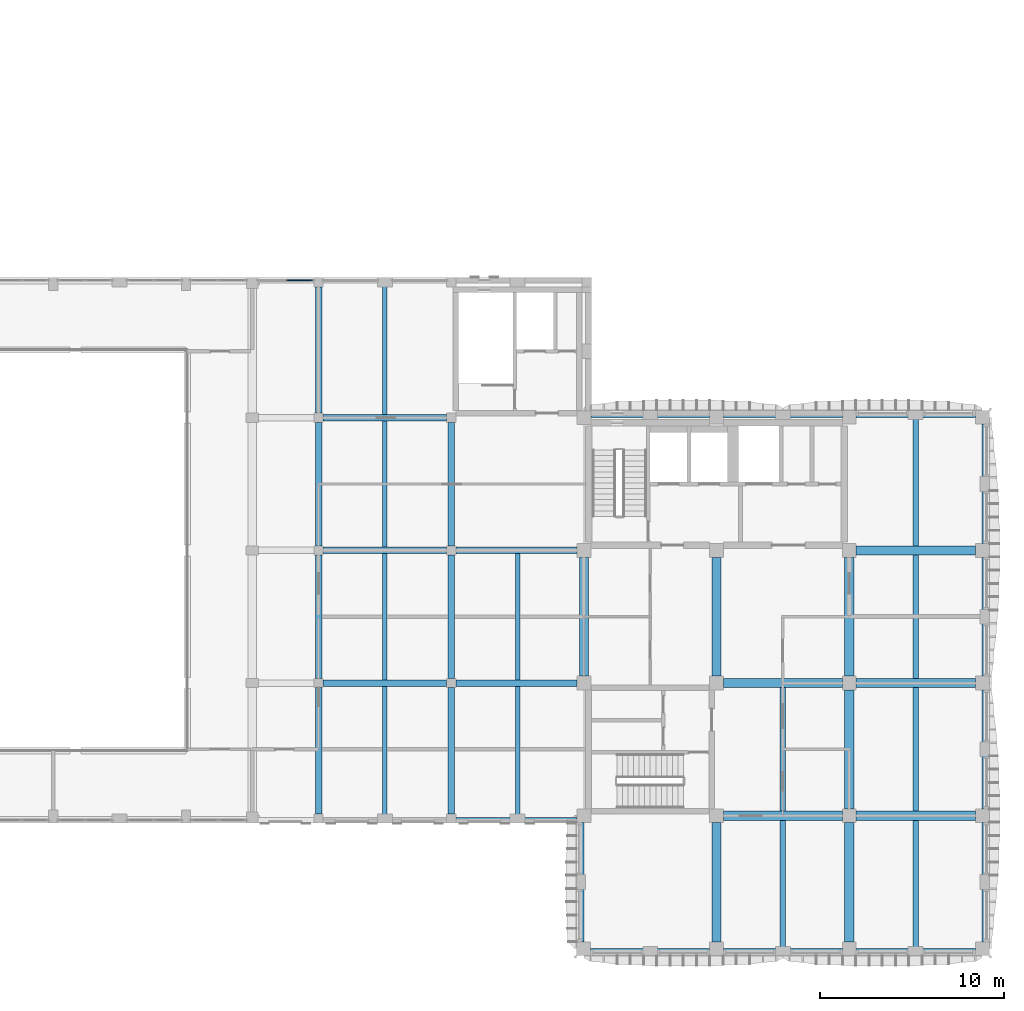
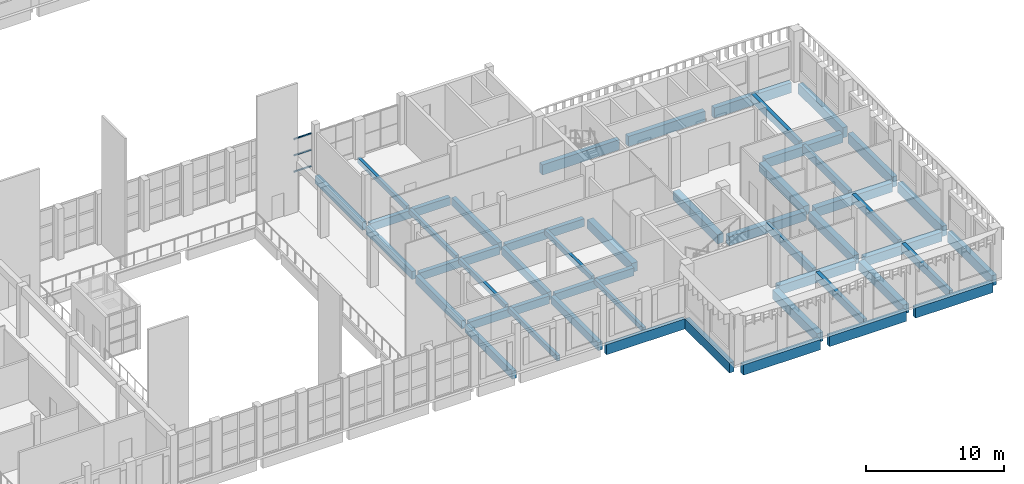
# One storey, part 10 of 54: 47 beams, 3 members, 1 element without a shape of its own.
"""IFC4 building model written with IfcOpenShell, lengths in metres."""

from ifc_helpers import new_model, si_unit, direction, frame, origin, origin_2d, place, context, subcontext, project, spatial, rectangle, extrude, material, layer, layer_set, material_profile, profile_set, type_object, element, aggregate, save


model = new_model("IFC4")

# Units and contexts
model_context = context("Model", 3, precision=1e-05, world=origin(), true_north=direction((0.0, 1.0)))
body_context = subcontext(model_context, "Body", "Model", "MODEL_VIEW")
ifc_project = project(units=[si_unit("LENGTHUNIT", "METRE"), si_unit("AREAUNIT", "SQUARE_METRE"), si_unit("VOLUMEUNIT", "CUBIC_METRE"), si_unit("PLANEANGLEUNIT", "RADIAN"), si_unit("MASSUNIT", "GRAM", prefix="KILO")], contexts=[model_context])

# Site, building, storey
site_placement = place(None, origin())
site = spatial("IfcSite", under=ifc_project, at=site_placement, CompositionType="ELEMENT")
building_placement = place(site_placement, origin())
building = spatial("IfcBuilding", under=site, at=building_placement, Name="Ussher Court Research Institute", CompositionType="ELEMENT")
storey_placement = place(building_placement, frame((0.0, 0.0, 14.39990234375)))
storey = spatial("IfcBuildingStorey", under=building, at=storey_placement, Name="L03", CompositionType="ELEMENT", Elevation=14.39990234375)

# Beams
ifc_material_1 = material(Name="Concrete C35/45", Category="concrete")
ifc_material_profile_1 = material_profile(ifc_material_1, rectangle(XDim=0.25, YDim=0.449951171875, at=origin_2d()), Name="RC 250x450")
ifc_profile_set_1 = profile_set([ifc_material_profile_1], Name="Concrete C35/45")
beam_type_1 = type_object("IfcBeamType", Name="RC 250x450 beam", PredefinedType="BEAM", material=ifc_profile_set_1)
beam_1_placement = place(storey_placement, frame((71.39990234375, 11.10009765625, -0.224853515625), z_axis=(0.0, 1.0, 0.0), x_axis=(-1.0, 0.0, 0.0)))
element("IfcBeam", 1, at=beam_1_placement, inside=storey, type_object=beam_type_1, Name="B1 V7 L03-03", PredefinedType="BEAM", context=body_context, shape_type="SweptSolid", body=[
    extrude(rectangle(XDim=0.25, YDim=0.449951171875, at=origin_2d()), origin(), (0.0, 0.0, 1.0), 7.125),
])
for number, where, z_axis, x_axis, name in (
    (2, (71.39990234375, 18.574951171875, -0.224853515625), (0.0, 1.0, 0.0), (-1.0, 0.0, 0.0), "B1 V7 L03-04"),
    (3, (71.39990234375, 25.77490234375, -0.224853515625), (0.0, 1.0, 0.0), (-1.0, 0.0, 0.0), "B1 V7 L03-05"),
):
    element("IfcBeam", number, at=place(storey_placement, frame(where, z_axis=z_axis, x_axis=x_axis)), inside=storey, type_object=beam_type_1, Name=name, PredefinedType="BEAM", context=body_context, shape_type="SweptSolid", body=[
        extrude(rectangle(XDim=0.25, YDim=0.449951171875, at=origin_2d()), origin(), (0.0, 0.0, 1.0), 6.85009765625),
    ])
for number, where, z_axis, x_axis, name in (
    (4, (71.39990234375, 32.97509765625, -0.224853515625), (0.0, 1.0, 0.0), (-1.0, 0.0, 0.0), "B1 V7 L03-06"),
    (5, (78.60009765625, 11.10009765625, -0.224853515625), (0.0, 1.0, 0.0), (-1.0, 0.0, 0.0), "B1 V7 L03-07"),
):
    element("IfcBeam", number, at=place(storey_placement, frame(where, z_axis=z_axis, x_axis=x_axis)), inside=storey, type_object=beam_type_1, Name=name, PredefinedType="BEAM", context=body_context, shape_type="SweptSolid", body=[
        extrude(rectangle(XDim=0.25, YDim=0.449951171875, at=origin_2d()), origin(), (0.0, 0.0, 1.0), 7.125),
    ])
beam_2_placement = place(storey_placement, frame((78.60009765625, 18.574951171875, -0.224853515625), z_axis=(0.0, 1.0, 0.0), x_axis=(-1.0, 0.0, 0.0)))
element("IfcBeam", 6, at=beam_2_placement, inside=storey, type_object=beam_type_1, Name="B1 V7 L03-08", PredefinedType="BEAM", context=body_context, shape_type="SweptSolid", body=[
    extrude(rectangle(XDim=0.25, YDim=0.449951171875, at=origin_2d()), origin(), (0.0, 0.0, 1.0), 6.85009765625),
])
ifc_material_2 = material(Name="Concrete C35/45", Category="concrete")
ifc_material_profile_2 = material_profile(ifc_material_2, rectangle(XDim=0.300048828125, YDim=0.699951171875, at=origin_2d()), Name="RC 300x700")
ifc_profile_set_2 = profile_set([ifc_material_profile_2], Name="Concrete C35/45")
beam_type_2 = type_object("IfcBeamType", Name="RC 300x700 beam", PredefinedType="BEAM", material=ifc_profile_set_2)
beam_3_placement = place(storey_placement, frame((93.0, 4.0, -0.349853515625), z_axis=(0.0, 1.0, 0.0), x_axis=(-1.0, 0.0, 0.0)))
element("IfcBeam", 7, at=beam_3_placement, inside=storey, type_object=beam_type_2, Name="B5 V4 L03-01", PredefinedType="BEAM", context=body_context, shape_type="SweptSolid", body=[
    extrude(rectangle(XDim=0.300048828125, YDim=0.699951171875, at=origin_2d()), origin(), (0.0, 0.0, 1.0), 6.949951171875),
])
beam_4_placement = place(storey_placement, frame((93.0, 11.449951171875, -0.349853515625), z_axis=(0.0, 1.0, 0.0), x_axis=(-1.0, 0.0, 0.0)))
element("IfcBeam", 8, at=beam_4_placement, inside=storey, type_object=beam_type_2, Name="B5 V4 L03-02", PredefinedType="BEAM", context=body_context, shape_type="SweptSolid", body=[
    extrude(rectangle(XDim=0.300048828125, YDim=0.699951171875, at=origin_2d()), origin(), (0.0, 0.0, 1.0), 6.699951171875),
])
beam_5_placement = place(storey_placement, frame((100.199951171875, 4.0, -0.349853515625), z_axis=(0.0, 1.0, 0.0), x_axis=(-1.0, 0.0, 0.0)))
element("IfcBeam", 9, at=beam_5_placement, inside=storey, type_object=beam_type_2, Name="B5 V4 L03-03", PredefinedType="BEAM", context=body_context, shape_type="SweptSolid", body=[
    extrude(rectangle(XDim=0.300048828125, YDim=0.699951171875, at=origin_2d()), origin(), (0.0, 0.0, 1.0), 6.949951171875),
])
beam_6_placement = place(storey_placement, frame((100.199951171875, 11.449951171875, -0.349853515625), z_axis=(0.0, 1.0, 0.0), x_axis=(-1.0, 0.0, 0.0)))
element("IfcBeam", 10, at=beam_6_placement, inside=storey, type_object=beam_type_2, Name="B5 V4 L03-04", PredefinedType="BEAM", context=body_context, shape_type="SweptSolid", body=[
    extrude(rectangle(XDim=0.300048828125, YDim=0.699951171875, at=origin_2d()), origin(), (0.0, 0.0, 1.0), 6.699951171875),
])
beam_7_placement = place(storey_placement, frame((100.199951171875, 18.64990234375, -0.349853515625), z_axis=(0.0, 1.0, 0.0), x_axis=(-1.0, 0.0, 0.0)))
element("IfcBeam", 11, at=beam_7_placement, inside=storey, type_object=beam_type_2, Name="B5 V4 L03-05", PredefinedType="BEAM", context=body_context, shape_type="SweptSolid", body=[
    extrude(rectangle(XDim=0.300048828125, YDim=0.699951171875, at=origin_2d()), origin(), (0.0, 0.0, 1.0), 6.7001953125),
])
beam_8_placement = place(storey_placement, frame((100.199951171875, 25.85009765625, -0.349853515625), z_axis=(0.0, 1.0, 0.0), x_axis=(-1.0, 0.0, 0.0)))
element("IfcBeam", 12, at=beam_8_placement, inside=storey, type_object=beam_type_2, Name="B5 V4 L03-06", PredefinedType="BEAM", context=body_context, shape_type="SweptSolid", body=[
    extrude(rectangle(XDim=0.300048828125, YDim=0.699951171875, at=origin_2d()), origin(), (0.0, 0.0, 1.0), 6.949951171875),
])
ifc_material_3 = material(Name="Concrete C35/45", Category="concrete")
ifc_material_profile_3 = material_profile(ifc_material_3, rectangle(XDim=0.300048828125, YDim=0.89990234375, at=origin_2d()), Name="RC 300x900")
ifc_profile_set_3 = profile_set([ifc_material_profile_3], Name="Concrete C35/45")
beam_type_3 = type_object("IfcBeamType", Name="RC 300x900 beam", PredefinedType="BEAM", material=ifc_profile_set_3)
beam_9_placement = place(storey_placement, frame((75.25, 10.949951171875, -0.64990234375), z_axis=(1.0, 0.0, 0.0), x_axis=(0.0, 1.0, 0.0)))
element("IfcBeam", 13, at=beam_9_placement, inside=storey, type_object=beam_type_3, Name="SB2 V7 L03-05", PredefinedType="BEAM", context=body_context, shape_type="SweptSolid", body=[
    extrude(rectangle(XDim=0.300048828125, YDim=0.89990234375, at=origin_2d()), origin(), (0.0, 0.0, 1.0), 6.574951171875),
])
ifc_material_4 = material(Name="Concrete C35/45", Category="concrete")
ifc_material_profile_4 = material_profile(ifc_material_4, rectangle(XDim=0.35009765625, YDim=0.699951171875, at=origin_2d()), Name="RC 350x700")
ifc_profile_set_4 = profile_set([ifc_material_profile_4], Name="Concrete C35/45")
beam_type_4 = type_object("IfcBeamType", Name="RC 350x700 beam", PredefinedType="BEAM", material=ifc_profile_set_4)
beam_10_placement = place(storey_placement, frame((68.050048828125, 18.39990234375, -0.5498046875), z_axis=(1.0, 0.0, 0.0), x_axis=(0.0, 1.0, 0.0)))
element("IfcBeam", 14, at=beam_10_placement, inside=storey, type_object=beam_type_4, Name="B16 V7 L03-04", PredefinedType="BEAM", context=body_context, shape_type="SweptSolid", body=[
    extrude(rectangle(XDim=0.35009765625, YDim=0.699951171875, at=origin_2d()), origin(), (0.0, 0.0, 1.0), 6.699951171875),
])
beam_11_placement = place(storey_placement, frame((75.25, 18.39990234375, -0.5498046875), z_axis=(1.0, 0.0, 0.0), x_axis=(0.0, 1.0, 0.0)))
element("IfcBeam", 15, at=beam_11_placement, inside=storey, type_object=beam_type_4, Name="B16 V7 L03-05", PredefinedType="BEAM", context=body_context, shape_type="SweptSolid", body=[
    extrude(rectangle(XDim=0.35009765625, YDim=0.699951171875, at=origin_2d()), origin(), (0.0, 0.0, 1.0), 6.574951171875),
])
beam_12_placement = place(storey_placement, frame((68.050048828125, 25.60009765625, -0.5498046875), z_axis=(1.0, 0.0, 0.0), x_axis=(0.0, 1.0, 0.0)))
element("IfcBeam", 16, at=beam_12_placement, inside=storey, type_object=beam_type_4, Name="B16 V7 L03-09", PredefinedType="BEAM", context=body_context, shape_type="SweptSolid", body=[
    extrude(rectangle(XDim=0.35009765625, YDim=0.699951171875, at=origin_2d()), origin(), (0.0, 0.0, 1.0), 6.699951171875),
])
beam_13_placement = place(storey_placement, frame((75.25, 25.60009765625, -0.5498046875), z_axis=(1.0, 0.0, 0.0), x_axis=(0.0, 1.0, 0.0)))
element("IfcBeam", 17, at=beam_13_placement, inside=storey, type_object=beam_type_4, Name="B16 V7 L03-10", PredefinedType="BEAM", context=body_context, shape_type="SweptSolid", body=[
    extrude(rectangle(XDim=0.35009765625, YDim=0.699951171875, at=origin_2d()), origin(), (0.0, 0.0, 1.0), 6.574951171875),
])
beam_14_placement = place(storey_placement, frame((68.050048828125, 32.800048828125, -0.5498046875), z_axis=(1.0, 0.0, 0.0), x_axis=(0.0, 1.0, 0.0)))
element("IfcBeam", 18, at=beam_14_placement, inside=storey, type_object=beam_type_4, Name="B16 V7 L03-13", PredefinedType="BEAM", context=body_context, shape_type="SweptSolid", body=[
    extrude(rectangle(XDim=0.35009765625, YDim=0.699951171875, at=origin_2d()), origin(), (0.0, 0.0, 1.0), 6.699951171875),
])
beam_15_placement = place(storey_placement, frame((67.800048828125, 11.300048828125, -0.5498046875), z_axis=(0.0, 1.0, 0.0), x_axis=(-1.0, 0.0, 0.0)))
element("IfcBeam", 19, at=beam_15_placement, inside=storey, type_object=beam_type_4, Name="B16 V7 L03-17", PredefinedType="BEAM", context=body_context, shape_type="SweptSolid", body=[
    extrude(rectangle(XDim=0.35009765625, YDim=0.699951171875, at=origin_2d()), origin(), (0.0, 0.0, 1.0), 6.849853515625),
])
beam_16_placement = place(storey_placement, frame((67.800048828125, 18.64990234375, -0.5498046875), z_axis=(0.0, 1.0, 0.0), x_axis=(-1.0, 0.0, 0.0)))
element("IfcBeam", 20, at=beam_16_placement, inside=storey, type_object=beam_type_4, Name="B16 V7 L03-18", PredefinedType="BEAM", context=body_context, shape_type="SweptSolid", body=[
    extrude(rectangle(XDim=0.35009765625, YDim=0.699951171875, at=origin_2d()), origin(), (0.0, 0.0, 1.0), 6.7001953125),
])
beam_17_placement = place(storey_placement, frame((67.800048828125, 25.85009765625, -0.5498046875), z_axis=(0.0, 1.0, 0.0), x_axis=(-1.0, 0.0, 0.0)))
element("IfcBeam", 21, at=beam_17_placement, inside=storey, type_object=beam_type_4, Name="B16 V7 L03-19", PredefinedType="BEAM", context=body_context, shape_type="SweptSolid", body=[
    extrude(rectangle(XDim=0.35009765625, YDim=0.699951171875, at=origin_2d()), origin(), (0.0, 0.0, 1.0), 6.699951171875),
])
for number, where, z_axis, x_axis, name in (
    (22, (67.800048828125, 33.050048828125, -0.5498046875), (0.0, 1.0, 0.0), (-1.0, 0.0, 0.0), "B16 V7 L03-20"),
    (23, (75.0, 11.300048828125, -0.5498046875), (0.0, 1.0, 0.0), (-1.0, 0.0, 0.0), "B16 V7 L03-21"),
):
    element("IfcBeam", number, at=place(storey_placement, frame(where, z_axis=z_axis, x_axis=x_axis)), inside=storey, type_object=beam_type_4, Name=name, PredefinedType="BEAM", context=body_context, shape_type="SweptSolid", body=[
        extrude(rectangle(XDim=0.35009765625, YDim=0.699951171875, at=origin_2d()), origin(), (0.0, 0.0, 1.0), 6.849853515625),
    ])
beam_18_placement = place(storey_placement, frame((75.0, 18.64990234375, -0.5498046875), z_axis=(0.0, 1.0, 0.0), x_axis=(-1.0, 0.0, 0.0)))
element("IfcBeam", 24, at=beam_18_placement, inside=storey, type_object=beam_type_4, Name="B16 V7 L03-22", PredefinedType="BEAM", context=body_context, shape_type="SweptSolid", body=[
    extrude(rectangle(XDim=0.35009765625, YDim=0.699951171875, at=origin_2d()), origin(), (0.0, 0.0, 1.0), 6.7001953125),
])
beam_19_placement = place(storey_placement, frame((75.0, 25.85009765625, -0.5498046875), z_axis=(0.0, 1.0, 0.0), x_axis=(-1.0, 0.0, 0.0)))
element("IfcBeam", 25, at=beam_19_placement, inside=storey, type_object=beam_type_4, Name="B16 V7 L03-23", PredefinedType="BEAM", context=body_context, shape_type="SweptSolid", body=[
    extrude(rectangle(XDim=0.35009765625, YDim=0.699951171875, at=origin_2d()), origin(), (0.0, 0.0, 1.0), 6.699951171875),
])
ifc_material_5 = material(Name="Concrete C35/45", Category="concrete")
ifc_material_profile_5 = material_profile(ifc_material_5, rectangle(XDim=0.39990234375, YDim=0.89990234375, at=origin_2d()), Name="RC 400x900")
ifc_profile_set_5 = profile_set([ifc_material_profile_5], Name="Concrete C35/45")
beam_type_5 = type_object("IfcBeamType", Name="RC 400x900 beam", PredefinedType="BEAM", material=ifc_profile_set_5)
beam_20_placement = place(storey_placement, frame((82.550048828125, 3.800048828125, -0.64990234375), z_axis=(1.0, 0.0, 0.0), x_axis=(0.0, 1.0, 0.0)))
element("IfcBeam", 26, at=beam_20_placement, inside=storey, type_object=beam_type_5, Name="B8 V4 L03-01", PredefinedType="BEAM", context=body_context, shape_type="SweptSolid", body=[
    extrude(rectangle(XDim=0.39990234375, YDim=0.89990234375, at=origin_2d()), origin(), (0.0, 0.0, 1.0), 6.474853515625),
])
beam_21_placement = place(storey_placement, frame((89.77490234375, 3.800048828125, -0.64990234375), z_axis=(1.0, 0.0, 0.0), x_axis=(0.0, 1.0, 0.0)))
element("IfcBeam", 27, at=beam_21_placement, inside=storey, type_object=beam_type_5, Name="B8 V4 L03-02", PredefinedType="BEAM", context=body_context, shape_type="SweptSolid", body=[
    extrude(rectangle(XDim=0.39990234375, YDim=0.89990234375, at=origin_2d()), origin(), (0.0, 0.0, 1.0), 6.4501953125),
])
beam_22_placement = place(storey_placement, frame((96.97509765625, 3.800048828125, -0.64990234375), z_axis=(1.0, 0.0, 0.0), x_axis=(0.0, 1.0, 0.0)))
element("IfcBeam", 28, at=beam_22_placement, inside=storey, type_object=beam_type_5, Name="B8 V4 L03-03", PredefinedType="BEAM", context=body_context, shape_type="SweptSolid", body=[
    extrude(rectangle(XDim=0.39990234375, YDim=0.89990234375, at=origin_2d()), origin(), (0.0, 0.0, 1.0), 6.474853515625),
])
beam_23_placement = place(storey_placement, frame((82.574951171875, 33.0, -0.64990234375), z_axis=(1.0, 0.0, 0.0), x_axis=(0.0, 1.0, 0.0)))
element("IfcBeam", 29, at=beam_23_placement, inside=storey, type_object=beam_type_5, Name="B8 V4 L03-04", PredefinedType="BEAM", context=body_context, shape_type="SweptSolid", body=[
    extrude(rectangle(XDim=0.39990234375, YDim=0.89990234375, at=origin_2d()), origin(), (0.0, 0.0, 1.0), 6.449951171875),
])
beam_24_placement = place(storey_placement, frame((89.77490234375, 33.0, -0.64990234375), z_axis=(1.0, 0.0, 0.0), x_axis=(0.0, 1.0, 0.0)))
element("IfcBeam", 30, at=beam_24_placement, inside=storey, type_object=beam_type_5, Name="B8 V4 L03-05", PredefinedType="BEAM", context=body_context, shape_type="SweptSolid", body=[
    extrude(rectangle(XDim=0.39990234375, YDim=0.89990234375, at=origin_2d()), origin(), (0.0, 0.0, 1.0), 6.4501953125),
])
for number, where, z_axis, x_axis, name in (
    (31, (96.97509765625, 33.0, -0.64990234375), (1.0, 0.0, 0.0), (0.0, 1.0, 0.0), "B8 V4 L03-06"),
    (32, (82.0, 4.35009765625, -0.64990234375), (0.0, 1.0, 0.0), (-1.0, 0.0, 0.0), "B8 V4 L03-07"),
    (33, (104.0, 4.35009765625, -0.64990234375), (0.0, 1.0, 0.0), (-1.0, 0.0, 0.0), "B8 V4 L03-08"),
):
    element("IfcBeam", number, at=place(storey_placement, frame(where, z_axis=z_axis, x_axis=x_axis)), inside=storey, type_object=beam_type_5, Name=name, PredefinedType="BEAM", context=body_context, shape_type="SweptSolid", body=[
        extrude(rectangle(XDim=0.39990234375, YDim=0.89990234375, at=origin_2d()), origin(), (0.0, 0.0, 1.0), 6.474853515625),
    ])
beam_25_placement = place(storey_placement, frame((104.0, 11.574951171875, -0.64990234375), z_axis=(0.0, 1.0, 0.0), x_axis=(-1.0, 0.0, 0.0)))
element("IfcBeam", 34, at=beam_25_placement, inside=storey, type_object=beam_type_5, Name="B8 V4 L03-09", PredefinedType="BEAM", context=body_context, shape_type="SweptSolid", body=[
    extrude(rectangle(XDim=0.39990234375, YDim=0.89990234375, at=origin_2d()), origin(), (0.0, 0.0, 1.0), 6.449951171875),
])
beam_26_placement = place(storey_placement, frame((104.0, 18.77490234375, -0.64990234375), z_axis=(0.0, 1.0, 0.0), x_axis=(-1.0, 0.0, 0.0)))
element("IfcBeam", 35, at=beam_26_placement, inside=storey, type_object=beam_type_5, Name="B8 V4 L03-10", PredefinedType="BEAM", context=body_context, shape_type="SweptSolid", body=[
    extrude(rectangle(XDim=0.39990234375, YDim=0.89990234375, at=origin_2d()), origin(), (0.0, 0.0, 1.0), 6.4501953125),
])
beam_27_placement = place(storey_placement, frame((104.0, 25.97509765625, -0.64990234375), z_axis=(0.0, 1.0, 0.0), x_axis=(-1.0, 0.0, 0.0)))
element("IfcBeam", 36, at=beam_27_placement, inside=storey, type_object=beam_type_5, Name="B8 V4 L03-11", PredefinedType="BEAM", context=body_context, shape_type="SweptSolid", body=[
    extrude(rectangle(XDim=0.39990234375, YDim=0.89990234375, at=origin_2d()), origin(), (0.0, 0.0, 1.0), 6.474853515625),
])
ifc_material_6 = material(Name="Concrete C35/45", Category="concrete")
ifc_material_profile_6 = material_profile(ifc_material_6, rectangle(XDim=0.5, YDim=0.800048828125, at=origin_2d()), Name="RC 500x800")
ifc_profile_set_6 = profile_set([ifc_material_profile_6], Name="Concrete C35/45")
beam_type_6 = type_object("IfcBeamType", Name="RC 500x800 beam", PredefinedType="BEAM", material=ifc_profile_set_6)
beam_28_placement = place(storey_placement, frame((89.77490234375, 11.199951171875, -0.599853515625), z_axis=(1.0, 0.0, 0.0), x_axis=(0.0, 1.0, 0.0)))
element("IfcBeam", 37, at=beam_28_placement, inside=storey, type_object=beam_type_6, Name="B20 V4 L03-01", PredefinedType="BEAM", context=body_context, shape_type="SweptSolid", body=[
    extrude(rectangle(XDim=0.5, YDim=0.800048828125, at=origin_2d()), origin(), (0.0, 0.0, 1.0), 6.4501953125),
])
beam_29_placement = place(storey_placement, frame((96.97509765625, 11.199951171875, -0.599853515625), z_axis=(1.0, 0.0, 0.0), x_axis=(0.0, 1.0, 0.0)))
element("IfcBeam", 38, at=beam_29_placement, inside=storey, type_object=beam_type_6, Name="B20 V4 L03-02", PredefinedType="BEAM", context=body_context, shape_type="SweptSolid", body=[
    extrude(rectangle(XDim=0.5, YDim=0.800048828125, at=origin_2d()), origin(), (0.0, 0.0, 1.0), 6.474853515625),
])
beam_30_placement = place(storey_placement, frame((89.77490234375, 18.39990234375, -0.599853515625), z_axis=(1.0, 0.0, 0.0), x_axis=(0.0, 1.0, 0.0)))
element("IfcBeam", 39, at=beam_30_placement, inside=storey, type_object=beam_type_6, Name="B20 V4 L03-03", PredefinedType="BEAM", context=body_context, shape_type="SweptSolid", body=[
    extrude(rectangle(XDim=0.5, YDim=0.800048828125, at=origin_2d()), origin(), (0.0, 0.0, 1.0), 6.4501953125),
])
for number, where, z_axis, x_axis, name in (
    (40, (96.97509765625, 18.39990234375, -0.599853515625), (1.0, 0.0, 0.0), (0.0, 1.0, 0.0), "B20 V4 L03-04"),
    (41, (96.97509765625, 25.60009765625, -0.599853515625), (1.0, 0.0, 0.0), (0.0, 1.0, 0.0), "B20 V4 L03-05"),
):
    element("IfcBeam", number, at=place(storey_placement, frame(where, z_axis=z_axis, x_axis=x_axis)), inside=storey, type_object=beam_type_6, Name=name, PredefinedType="BEAM", context=body_context, shape_type="SweptSolid", body=[
        extrude(rectangle(XDim=0.5, YDim=0.800048828125, at=origin_2d()), origin(), (0.0, 0.0, 1.0), 6.474853515625),
    ])
beam_31_placement = place(storey_placement, frame((82.199951171875, 18.77490234375, -0.599853515625), z_axis=(0.0, 1.0, 0.0), x_axis=(-1.0, 0.0, 0.0)))
element("IfcBeam", 42, at=beam_31_placement, inside=storey, type_object=beam_type_6, Name="B20 V4 L03-06", PredefinedType="BEAM", context=body_context, shape_type="SweptSolid", body=[
    extrude(rectangle(XDim=0.5, YDim=0.800048828125, at=origin_2d()), origin(), (0.0, 0.0, 1.0), 6.4501953125),
])
beam_32_placement = place(storey_placement, frame((89.39990234375, 4.35009765625, -0.599853515625), z_axis=(0.0, 1.0, 0.0), x_axis=(-1.0, 0.0, 0.0)))
element("IfcBeam", 43, at=beam_32_placement, inside=storey, type_object=beam_type_6, Name="B20 V4 L03-07", PredefinedType="BEAM", context=body_context, shape_type="SweptSolid", body=[
    extrude(rectangle(XDim=0.5, YDim=0.800048828125, at=origin_2d()), origin(), (0.0, 0.0, 1.0), 6.474853515625),
])
beam_33_placement = place(storey_placement, frame((89.39990234375, 18.77490234375, -0.599853515625), z_axis=(0.0, 1.0, 0.0), x_axis=(-1.0, 0.0, 0.0)))
element("IfcBeam", 44, at=beam_33_placement, inside=storey, type_object=beam_type_6, Name="B20 V4 L03-08", PredefinedType="BEAM", context=body_context, shape_type="SweptSolid", body=[
    extrude(rectangle(XDim=0.5, YDim=0.800048828125, at=origin_2d()), origin(), (0.0, 0.0, 1.0), 6.4501953125),
])
beam_34_placement = place(storey_placement, frame((96.60009765625, 4.35009765625, -0.599853515625), z_axis=(0.0, 1.0, 0.0), x_axis=(-1.0, 0.0, 0.0)))
element("IfcBeam", 45, at=beam_34_placement, inside=storey, type_object=beam_type_6, Name="B20 V4 L03-09", PredefinedType="BEAM", context=body_context, shape_type="SweptSolid", body=[
    extrude(rectangle(XDim=0.5, YDim=0.800048828125, at=origin_2d()), origin(), (0.0, 0.0, 1.0), 6.474853515625),
])
beam_35_placement = place(storey_placement, frame((96.60009765625, 11.574951171875, -0.599853515625), z_axis=(0.0, 1.0, 0.0), x_axis=(-1.0, 0.0, 0.0)))
element("IfcBeam", 46, at=beam_35_placement, inside=storey, type_object=beam_type_6, Name="B20 V4 L03-10", PredefinedType="BEAM", context=body_context, shape_type="SweptSolid", body=[
    extrude(rectangle(XDim=0.5, YDim=0.800048828125, at=origin_2d()), origin(), (0.0, 0.0, 1.0), 6.449951171875),
])
beam_36_placement = place(storey_placement, frame((96.60009765625, 18.77490234375, -0.599853515625), z_axis=(0.0, 1.0, 0.0), x_axis=(-1.0, 0.0, 0.0)))
element("IfcBeam", 47, at=beam_36_placement, inside=storey, type_object=beam_type_6, Name="B20 V4 L03-11", PredefinedType="BEAM", context=body_context, shape_type="SweptSolid", body=[
    extrude(rectangle(XDim=0.5, YDim=0.800048828125, at=origin_2d()), origin(), (0.0, 0.0, 1.0), 6.4501953125),
])

# Curtain wall, members
ifc_material_7 = material(Name="Bronze anodised aluminium with solar-control glass", Category="aluminium")
ifc_layer = layer(ifc_material_7, 0.1201171875)
ifc_layer_set = layer_set([ifc_layer], Name="Bronze anodised aluminium with solar-control glass")
curtain_wall_type = type_object("IfcCurtainWallType", Name="Curtain wall reading gallery front", PredefinedType="NOTDEFINED", material=ifc_layer_set)
curtain_wall_placement = place(storey_placement, origin())
curtain_wall = element("IfcCurtainWall", 48, at=curtain_wall_placement, inside=storey, type_object=curtain_wall_type, Name="Curtain wall CW12 L03", PredefinedType="NOTDEFINED")
ifc_material_8 = material(Name="Bronze anodised aluminium", Category="aluminium")
ifc_material_profile_7 = material_profile(ifc_material_8, rectangle(XDim=0.06005859375, YDim=0.1201171875, at=origin_2d()), Name="Transom 60x120")
ifc_profile_set_7 = profile_set([ifc_material_profile_7], Name="Bronze anodised aluminium")
member_type = type_object("IfcMemberType", Name="Transom 60x120", PredefinedType="USERDEFINED", material=ifc_profile_set_7)
member_1_placement = place(storey_placement, frame((66.054931640625, 40.25, 0.47998046875), z_axis=(1.0, 0.0, 0.0), x_axis=(0.0, 1.0, 0.0)))
member_1 = element("IfcMember", 49, at=member_1_placement, type_object=member_type, Name="CW12 transom 2.1", ObjectType="TRANSOM", PredefinedType="USERDEFINED", context=body_context, shape_type="SweptSolid", body=[
    extrude(rectangle(XDim=0.06005859375, YDim=0.1201171875, at=origin_2d()), origin(), (0.0, 0.0, 1.0), 1.43505859375),
])
member_2_placement = place(storey_placement, frame((66.054931640625, 40.25, 1.925048828125), z_axis=(1.0, 0.0, 0.0), x_axis=(0.0, 1.0, 0.0)))
member_2 = element("IfcMember", 50, at=member_2_placement, type_object=member_type, Name="CW12 transom 2.2", ObjectType="TRANSOM", PredefinedType="USERDEFINED", context=body_context, shape_type="SweptSolid", body=[
    extrude(rectangle(XDim=0.06005859375, YDim=0.1201171875, at=origin_2d()), origin(), (0.0, 0.0, 1.0), 1.43505859375),
])
member_3_placement = place(storey_placement, frame((66.054931640625, 40.25, 3.3701171875), z_axis=(1.0, 0.0, 0.0), x_axis=(0.0, 1.0, 0.0)))
member_3 = element("IfcMember", 51, at=member_3_placement, type_object=member_type, Name="CW12 transom 2.3", ObjectType="TRANSOM", PredefinedType="USERDEFINED", context=body_context, shape_type="SweptSolid", body=[
    extrude(rectangle(XDim=0.06005859375, YDim=0.1201171875, at=origin_2d()), origin(), (0.0, 0.0, 1.0), 1.43505859375),
])
aggregate(curtain_wall, [member_1, member_2, member_3])

save(model, "model.ifc")
